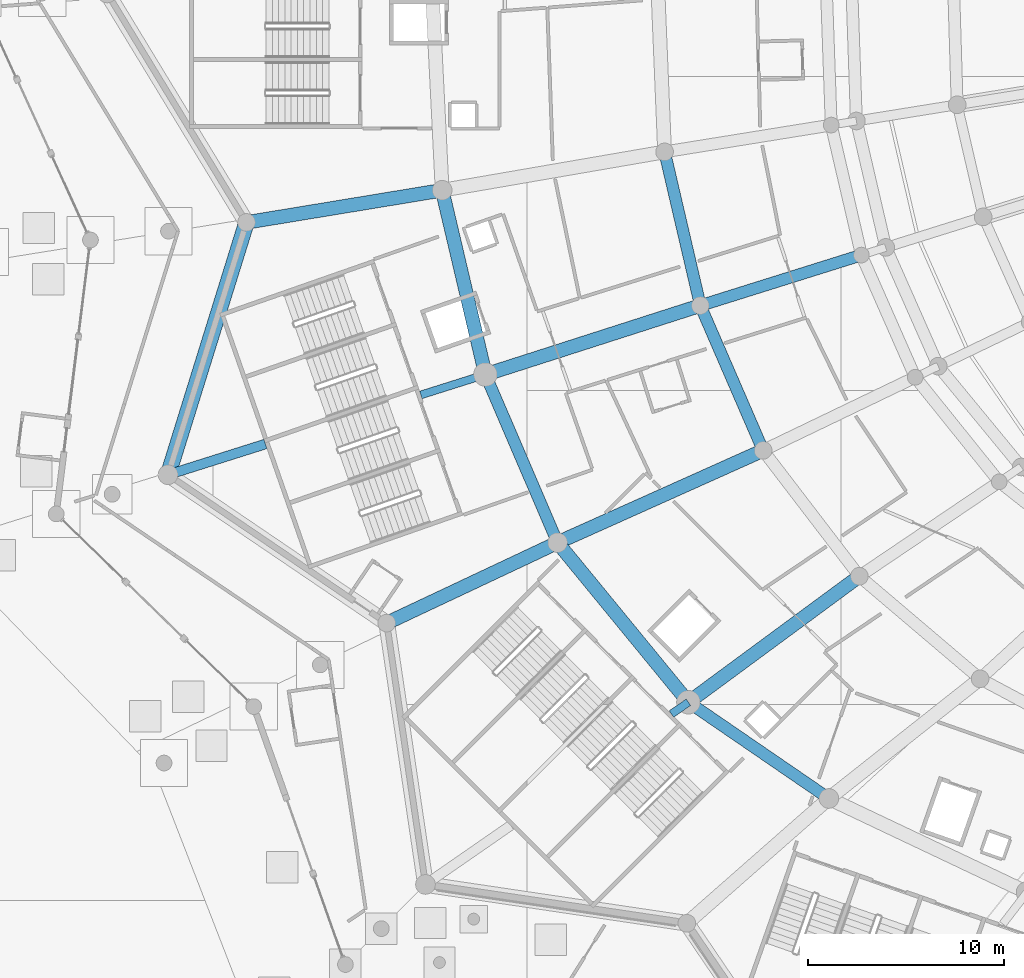
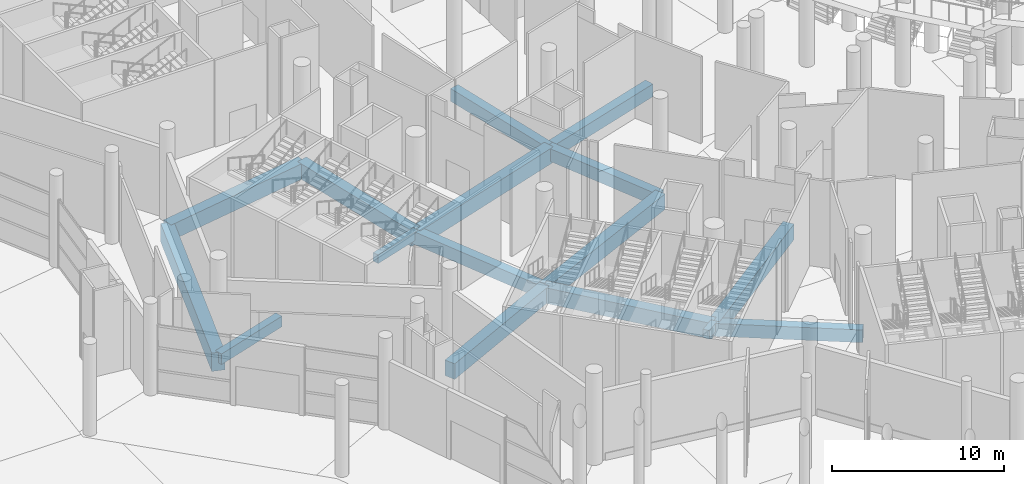
# One storey, part 18 of 255: 16 beams.
"""IFC4 building model written with IfcOpenShell, lengths in metres."""

from ifc_helpers import new_model, si_unit, direction, frame, origin, origin_2d, place, context, subcontext, project, spatial, rectangle, extrude, material, material_profile, profile_set, type_object, element, save


model = new_model("IFC4")

# Units and contexts
model_context = context("Model", 3, precision=1e-05, world=origin(), true_north=direction((0.0, 1.0)))
body_context = subcontext(model_context, "Body", "Model", "MODEL_VIEW")
ifc_project = project(units=[si_unit("LENGTHUNIT", "METRE"), si_unit("AREAUNIT", "SQUARE_METRE"), si_unit("VOLUMEUNIT", "CUBIC_METRE"), si_unit("PLANEANGLEUNIT", "RADIAN"), si_unit("MASSUNIT", "GRAM", prefix="KILO")], contexts=[model_context])

# Site, building, storey
site_placement = place(None, origin())
site = spatial("IfcSite", under=ifc_project, at=site_placement, CompositionType="ELEMENT")
building_placement = place(site_placement, origin())
building = spatial("IfcBuilding", under=site, at=building_placement, Name="Meseta Stadium", CompositionType="ELEMENT")
storey_placement = place(building_placement, origin())
storey = spatial("IfcBuildingStorey", under=building, at=storey_placement, Name="L00", CompositionType="ELEMENT", Elevation=0.0)

# Beams
ifc_material_1 = material(Name="Concrete C40/50", Category="concrete")
ifc_material_profile_1 = material_profile(ifc_material_1, rectangle(XDim=0.39990234375, YDim=0.60009765625, at=origin_2d()), Name="RC 400x600")
ifc_profile_set_1 = profile_set([ifc_material_profile_1], Name="Concrete C40/50")
beam_type_1 = type_object("IfcBeamType", Name="RC beam 400x600", PredefinedType="BEAM", material=ifc_profile_set_1)
beam_1_placement = place(storey_placement, frame((-82.119873046875, -63.191162109375, -0.699951171875), z_axis=(-0.953578389502, -0.301144907105, 0.0), x_axis=(0.301144907105, -0.953578389502, 0.0)))
element("IfcBeam", 1, at=beam_1_placement, inside=storey, type_object=beam_type_1, Name="L00 radial beam frame 38 line P to R", PredefinedType="BEAM", context=body_context, shape_type="SweptSolid", body=[
    extrude(rectangle(XDim=0.39990234375, YDim=0.60009765625, at=origin_2d()), origin(), (0.0, 0.0, 1.0), 3.451904296875),
])
beam_2_placement = place(storey_placement, frame((-71.775390625, -79.888916015625, -0.699951171875), z_axis=(-0.821959126475, -0.569546481337, 0.0), x_axis=(0.569546481337, -0.821959126475, 0.0)))
element("IfcBeam", 2, at=beam_2_placement, inside=storey, type_object=beam_type_1, Name="L00 radial beam frame 40 line P to R", PredefinedType="BEAM", context=body_context, shape_type="SweptSolid", body=[
    extrude(rectangle(XDim=0.39990234375, YDim=0.60009765625, at=origin_2d()), origin(), (0.0, 0.0, 1.0), 1.05615234375),
])
ifc_material_2 = material(Name="Concrete C40/50", Category="concrete")
ifc_material_profile_2 = material_profile(ifc_material_2, rectangle(XDim=0.5, YDim=0.75, at=origin_2d()), Name="RC 500x750")
ifc_profile_set_2 = profile_set([ifc_material_profile_2], Name="Concrete C40/50")
beam_type_2 = type_object("IfcBeamType", Name="RC beam 500x750", PredefinedType="BEAM", material=ifc_profile_set_2)
beam_3_placement = place(storey_placement, frame((-93.330078125, -66.73095703125, -0.77490234375), z_axis=(-0.953580537384, -0.301138105728, 0.0), x_axis=(0.301138105728, -0.953580537384, 0.0)))
element("IfcBeam", 3, at=beam_3_placement, inside=storey, type_object=beam_type_2, Name="L00 radial beam frame 38 line P to R", PredefinedType="BEAM", context=body_context, shape_type="SweptSolid", body=[
    extrude(rectangle(XDim=0.5, YDim=0.75, at=origin_2d()), origin(), (0.0, 0.0, 1.0), 5.202392578125),
])
ifc_material_3 = material(Name="Concrete C40/50", Category="concrete")
ifc_material_profile_3 = material_profile(ifc_material_3, rectangle(XDim=0.60009765625, YDim=0.89990234375, at=origin_2d()), Name="RC 600x900")
ifc_profile_set_3 = profile_set([ifc_material_profile_3], Name="Concrete C40/50")
beam_type_3 = type_object("IfcBeamType", Name="RC beam 600x900", PredefinedType="BEAM", material=ifc_profile_set_3)
beam_4_placement = place(storey_placement, frame((-72.9921875, -51.84716796875, -0.85009765625), z_axis=(0.226697740265, -0.973965160855, 0.0), x_axis=(0.973965160855, 0.226697740265, 0.0)))
element("IfcBeam", 4, at=beam_4_placement, inside=storey, type_object=beam_type_3, Name="L00 ring beam frame 37 line E", PredefinedType="BEAM", context=body_context, shape_type="SweptSolid", body=[
    extrude(rectangle(XDim=0.60009765625, YDim=0.89990234375, at=origin_2d()), origin(), (0.0, 0.0, 1.0), 8.039306640625),
])
beam_5_placement = place(storey_placement, frame((-71.169677734375, -59.67724609375, -0.85009765625), z_axis=(0.397502661884, -0.91760102103, 0.0), x_axis=(0.91760102103, 0.397502661884, 0.0)))
element("IfcBeam", 5, at=beam_5_placement, inside=storey, type_object=beam_type_3, Name="L00 ring beam frame 38 line E", PredefinedType="BEAM", context=body_context, shape_type="SweptSolid", body=[
    extrude(rectangle(XDim=0.60009765625, YDim=0.89990234375, at=origin_2d()), origin(), (0.0, 0.0, 1.0), 8.04345703125),
])
beam_6_placement = place(storey_placement, frame((-82.119873046875, -63.191162109375, -0.85009765625), z_axis=(0.394270200779, -0.918994564063, 0.0), x_axis=(0.918994564063, 0.394270200779, 0.0)))
element("IfcBeam", 6, at=beam_6_placement, inside=storey, type_object=beam_type_3, Name="L00 ring beam frame 38 line P", PredefinedType="BEAM", context=body_context, shape_type="SweptSolid", body=[
    extrude(rectangle(XDim=0.60009765625, YDim=0.89990234375, at=origin_2d()), origin(), (0.0, 0.0, 1.0), 9.31982421875),
])
beam_7_placement = place(storey_placement, frame((-71.775390625, -79.888916015625, -0.85009765625), z_axis=(0.824813247637, -0.565405258662, 0.0), x_axis=(0.565405258662, 0.824813247637, 0.0)))
element("IfcBeam", 7, at=beam_7_placement, inside=storey, type_object=beam_type_3, Name="L00 ring beam frame 40 line P", PredefinedType="BEAM", context=body_context, shape_type="SweptSolid", body=[
    extrude(rectangle(XDim=0.60009765625, YDim=0.89990234375, at=origin_2d()), origin(), (0.0, 0.0, 1.0), 8.672607421875),
])
beam_8_placement = place(storey_placement, frame((-62.963623046875, -57.1044921875, -0.85009765625), z_axis=(-0.9542027514, -0.299160674588, 0.0), x_axis=(0.299160674588, -0.9542027514, 0.0)))
element("IfcBeam", 8, at=beam_8_placement, inside=storey, type_object=beam_type_3, Name="L00 radial beam frame 38 line D to E", PredefinedType="BEAM", context=body_context, shape_type="SweptSolid", body=[
    extrude(rectangle(XDim=0.60009765625, YDim=0.89990234375, at=origin_2d()), origin(), (0.0, 0.0, 1.0), 8.599853515625),
])
ifc_material_4 = material(Name="Concrete C40/50", Category="concrete")
ifc_material_profile_4 = material_profile(ifc_material_4, rectangle(XDim=0.699951171875, YDim=1.10009765625, at=origin_2d()), Name="RC 700x1100")
ifc_profile_set_4 = profile_set([ifc_material_profile_4], Name="Concrete C40/50")
beam_type_4 = type_object("IfcBeamType", Name="RC beam 700x1100", PredefinedType="BEAM", material=ifc_profile_set_4)
beam_9_placement = place(storey_placement, frame((-84.3251953125, -53.801513671875, -0.949951171875), z_axis=(0.228645688533, -0.973509706739, 0.0), x_axis=(0.973509706739, 0.228645688533, 0.0)))
element("IfcBeam", 9, at=beam_9_placement, inside=storey, type_object=beam_type_4, Name="L00 ring beam frame 37 line P", PredefinedType="BEAM", context=body_context, shape_type="SweptSolid", body=[
    extrude(rectangle(XDim=0.699951171875, YDim=1.10009765625, at=origin_2d()), origin(), (0.0, 0.0, 1.0), 9.645263671875),
])
beam_10_placement = place(storey_placement, frame((-78.4453125, -71.756103515625, -0.949951171875), z_axis=(0.634137323649, -0.773220443829, 0.0), x_axis=(0.773220443829, 0.634137323649, 0.0)))
element("IfcBeam", 10, at=beam_10_placement, inside=storey, type_object=beam_type_4, Name="L00 ring beam frame 39 line P", PredefinedType="BEAM", context=body_context, shape_type="SweptSolid", body=[
    extrude(rectangle(XDim=0.699951171875, YDim=1.10009765625, at=origin_2d()), origin(), (0.0, 0.0, 1.0), 10.51806640625),
])
beam_11_placement = place(storey_placement, frame((-84.3251953125, -53.801513671875, -0.949951171875), z_axis=(-0.986739169318, -0.162313929576, 0.0), x_axis=(0.162313929576, -0.986739169318, 0.0)))
element("IfcBeam", 11, at=beam_11_placement, inside=storey, type_object=beam_type_4, Name="L00 radial beam frame 37 line P to R", PredefinedType="BEAM", context=body_context, shape_type="SweptSolid", body=[
    extrude(rectangle(XDim=0.699951171875, YDim=1.10009765625, at=origin_2d()), origin(), (0.0, 0.0, 1.0), 10.103271484375),
])
beam_12_placement = place(storey_placement, frame((-71.169677734375, -59.67724609375, -0.949951171875), z_axis=(-0.952175117954, -0.305552850992, 0.0), x_axis=(0.305552850992, -0.952175117954, 0.0)))
element("IfcBeam", 12, at=beam_12_placement, inside=storey, type_object=beam_type_4, Name="L00 radial beam frame 38 line E to P", PredefinedType="BEAM", context=body_context, shape_type="SweptSolid", body=[
    extrude(rectangle(XDim=0.699951171875, YDim=1.10009765625, at=origin_2d()), origin(), (0.0, 0.0, 1.0), 11.500244140625),
])
beam_13_placement = place(storey_placement, frame((-67.972412109375, -67.057861328125, -0.949951171875), z_axis=(-0.912395676752, -0.409309331734, 0.0), x_axis=(0.409309331734, -0.912395676752, 0.0)))
element("IfcBeam", 13, at=beam_13_placement, inside=storey, type_object=beam_type_4, Name="L00 radial beam frame 39 line E to P", PredefinedType="BEAM", context=body_context, shape_type="SweptSolid", body=[
    extrude(rectangle(XDim=0.699951171875, YDim=1.10009765625, at=origin_2d()), origin(), (0.0, 0.0, 1.0), 11.478515625),
])
beam_14_placement = place(storey_placement, frame((-78.4453125, -71.756103515625, -0.949951171875), z_axis=(-0.904664550747, -0.426124454382, 0.0), x_axis=(0.426124454382, -0.904664550747, 0.0)))
element("IfcBeam", 14, at=beam_14_placement, inside=storey, type_object=beam_type_4, Name="L00 radial beam frame 39 line P to R", PredefinedType="BEAM", context=body_context, shape_type="SweptSolid", body=[
    extrude(rectangle(XDim=0.699951171875, YDim=1.10009765625, at=origin_2d()), origin(), (0.0, 0.0, 1.0), 9.623046875),
])
beam_15_placement = place(storey_placement, frame((-63.068115234375, -73.469970703125, -0.949951171875), z_axis=(-0.804920808124, -0.593382248344, 0.0), x_axis=(0.593382248344, -0.804920808124, 0.0)))
element("IfcBeam", 15, at=beam_15_placement, inside=storey, type_object=beam_type_4, Name="L00 radial beam frame 40 line E to P", PredefinedType="BEAM", context=body_context, shape_type="SweptSolid", body=[
    extrude(rectangle(XDim=0.699951171875, YDim=1.10009765625, at=origin_2d()), origin(), (0.0, 0.0, 1.0), 10.817626953125),
])
ifc_material_5 = material(Name="Concrete C40/50", Category="concrete")
ifc_material_profile_5 = material_profile(ifc_material_5, rectangle(XDim=0.800048828125, YDim=1.300048828125, at=origin_2d()), Name="RC 800x1300")
ifc_profile_set_5 = profile_set([ifc_material_profile_5], Name="Concrete C40/50")
beam_type_5 = type_object("IfcBeamType", Name="RC beam 800x1300", PredefinedType="BEAM", material=ifc_profile_set_5)
beam_16_placement = place(storey_placement, frame((-94.29443359375, -55.44140625, -1.050048828125), z_axis=(-0.296854913016, -0.954922594045, 0.0), x_axis=(0.954922594045, -0.296854913016, 0.0)))
element("IfcBeam", 16, at=beam_16_placement, inside=storey, type_object=beam_type_5, Name="L00 ring beam frame 37 line R", PredefinedType="BEAM", context=body_context, shape_type="SweptSolid", body=[
    extrude(rectangle(XDim=0.800048828125, YDim=1.300048828125, at=origin_2d()), origin(), (0.0, 0.0, 1.0), 13.463134765625),
])

save(model, "model.ifc")
